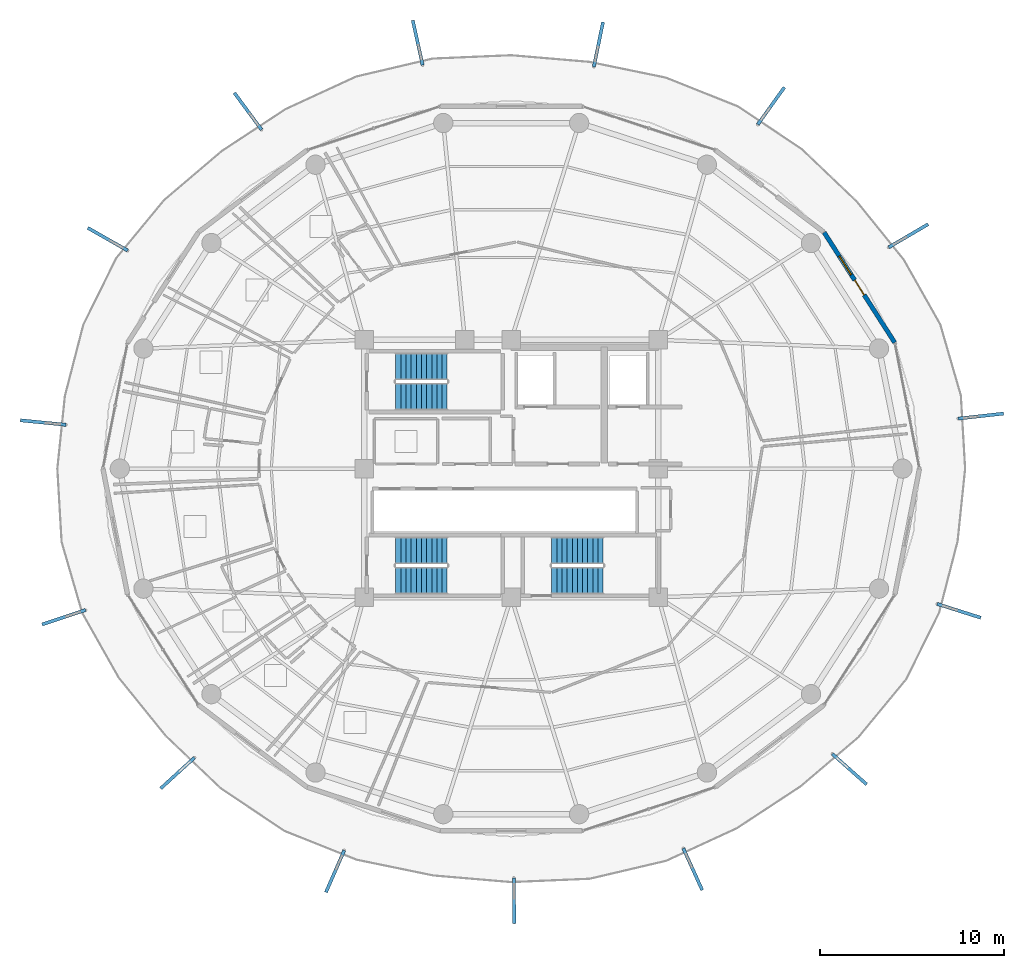
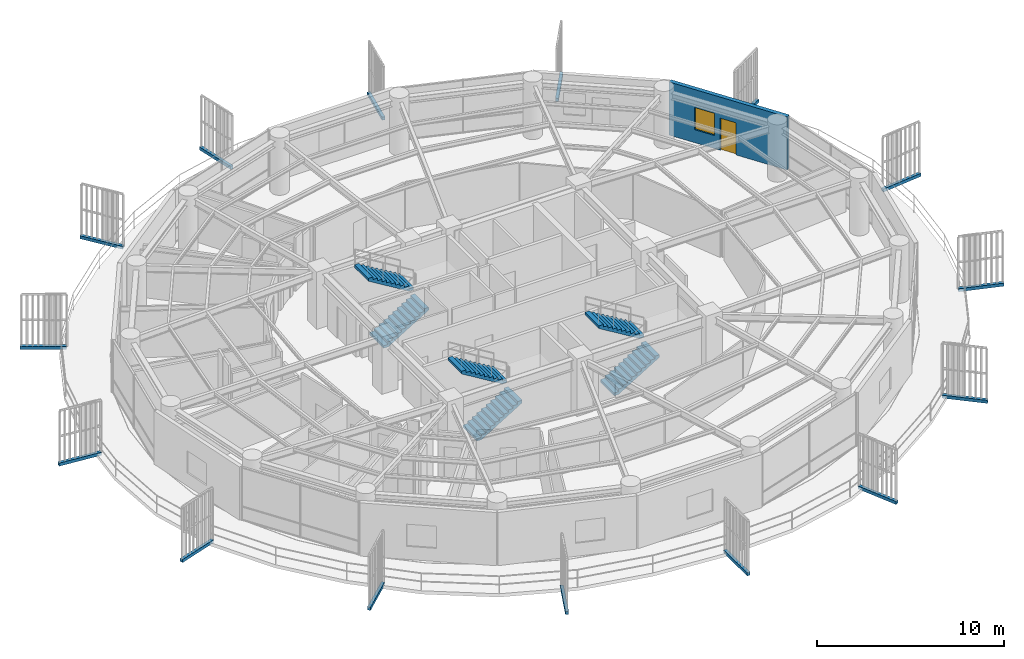
# One storey, part 27 of 31: 15 discrete accessories, 6 stair flights, 1 door, 1 wall, 1 window, 2 openings, 3 elements without a shape of their own.
"""IFC4 building model written with IfcOpenShell, lengths in metres."""

from ifc_helpers import new_model, si_unit, direction, frame, frame_2d, origin, origin_2d, place, context, subcontext, project, spatial, polyline, rectangle, outline, extrude, source, transform, mapped, material, layer, layer_set, type_object, element, fill, aggregate, save


model = new_model("IFC4")

# Units and contexts
model_context = context("Model", 3, precision=1e-05, world=origin(), true_north=direction((0.0, 1.0)))
body_context = subcontext(model_context, "Body", "Model", "MODEL_VIEW")
ifc_project = project(units=[si_unit("LENGTHUNIT", "METRE"), si_unit("AREAUNIT", "SQUARE_METRE"), si_unit("VOLUMEUNIT", "CUBIC_METRE"), si_unit("PLANEANGLEUNIT", "RADIAN"), si_unit("MASSUNIT", "GRAM", prefix="KILO")], contexts=[model_context])

# Site, building, storey
site_placement = place(None, origin())
site = spatial("IfcSite", under=ifc_project, at=site_placement, CompositionType="ELEMENT")
building_placement = place(site_placement, origin())
building = spatial("IfcBuilding", under=site, at=building_placement, Name="Kelanora Arch Commons", CompositionType="ELEMENT")
storey_placement = place(building_placement, frame((0.0, 0.0, 230.699951171875)))
storey = spatial("IfcBuildingStorey", under=building, at=storey_placement, Name="L59", CompositionType="ELEMENT", Elevation=230.699951171875)

# Wall, openings, door, window
ifc_material_1 = material(Name="Precast concrete C40/50 upper-zone terracotta rainscreen", Category="masonry")
ifc_layer = layer(ifc_material_1, 0.239990234375)
ifc_layer_set = layer_set([ifc_layer], Name="Precast concrete C40/50 upper-zone terracotta rainscreen")
wall_type = type_object("IfcWallType", Name="W-EXT-TC2", PredefinedType="SOLIDWALL", material=ifc_layer_set)
wall_placement = place(storey_placement, frame((94.85302734375, 64.85302734375, 0.0), z_axis=(0.0, 0.0, 1.0), x_axis=(-0.539539512973, 0.841960280501, 0.0)))
wall = element("IfcWall", 1, at=wall_placement, inside=storey, type_object=wall_type, Name="Terracotta Exterior Wall L59-B01", PredefinedType="SOLIDWALL", context=body_context, shape_type="SweptSolid", body=[
    extrude(rectangle(XDim=7.11474609375, YDim=0.239990234375, at=frame_2d((3.557373046875, 0.0))), origin(), (0.0, 0.0, 1.0), 3.47509765625),
])
opening_1_placement = place(wall_placement, frame((3.08203125, 0.0, 0.0)))
opening_1 = element("IfcOpeningElement", 2, at=opening_1_placement, cuts=wall, Name="Opening DB-01", PredefinedType="OPENING", context=body_context, shape_type="SweptSolid", body=[
    extrude(rectangle(XDim=0.949951171875, YDim=2.10009765625, at=frame_2d((0.47509765625, 1.050048828125))), frame((0.0, 0.1298828125, 0.0), z_axis=(0.0, -1.0, 0.0), x_axis=(1.0, 0.0, 0.0)), (0.0, 0.0, 1.0), 0.260009765625),
])
opening_2_placement = place(wall_placement, frame((4.382080078125, 0.0, 0.85009765625)))
opening_2 = element("IfcOpeningElement", 3, at=opening_2_placement, cuts=wall, Name="Opening WN-02", PredefinedType="OPENING", context=body_context, shape_type="SweptSolid", body=[
    extrude(rectangle(XDim=1.199951171875, YDim=1.449951171875, at=frame_2d((0.60009765625, 0.72509765625))), frame((0.0, 0.1298828125, 0.0), z_axis=(0.0, -1.0, 0.0), x_axis=(1.0, 0.0, 0.0)), (0.0, 0.0, 1.0), 0.260009765625),
])
ifc_material_2 = material(Name="Terracotta-aluminium thermally broken glazed balcony door", Category="masonry")
door_type = type_object("IfcDoorType", Name="D-BAL-10", OperationType="NOTDEFINED", PredefinedType="DOOR", material=ifc_material_2)
door_placement = place(opening_1_placement, frame((0.949951171875, 0.0, 0.0), z_axis=(0.0, 0.0, 1.0), x_axis=(-1.0, 0.0, 0.0)))
door = element("IfcDoor", 4, at=door_placement, inside=storey, type_object=door_type, Name="Wave Balcony Door L59-B01", OperationType="SINGLE_SWING_LEFT", OverallHeight=2.10009765625, OverallWidth=0.949951171875, PredefinedType="DOOR", context=body_context, shape_type="SweptSolid", body=[
    extrude(rectangle(XDim=0.949951171875, YDim=2.10009765625, at=frame_2d((0.47509765625, 1.050048828125))), frame((0.0, 0.02490234375, 0.0), z_axis=(0.0, -1.0, 0.0), x_axis=(1.0, 0.0, 0.0)), (0.0, 0.0, 1.0), 0.050048828125),
])
fill(opening_1, door)
ifc_material_3 = material(Name="Terracotta-anodised aluminium frame with operable awning sash", Category="masonry")
window_type = type_object("IfcWindowType", Name="WIN-CL-12", PartitioningType="SINGLE_PANEL", PredefinedType="WINDOW", material=ifc_material_3)
window_placement = place(opening_2_placement, origin())
window = element("IfcWindow", 5, at=window_placement, inside=storey, type_object=window_type, Name="Co-Living Operable Window L59-B01", OverallHeight=1.449951171875, OverallWidth=1.199951171875, PartitioningType="SINGLE_PANEL", PredefinedType="WINDOW", context=body_context, shape_type="SweptSolid", body=[
    extrude(rectangle(XDim=1.199951171875, YDim=1.449951171875, at=frame_2d((0.60009765625, 0.72509765625))), frame((0.0, 0.030029296875, 0.0), z_axis=(0.0, -1.0, 0.0), x_axis=(1.0, 0.0, 0.0)), (0.0, 0.0, 1.0), 0.06005859375),
])
fill(opening_2, window)

# Stair, stair flights
ifc_material_4 = material(Name="Concrete C40/50", Category="concrete")
stair_type = type_object("IfcStairType", Name="STR-DL-375", PredefinedType="HALF_TURN_STAIR", material=ifc_material_4)
stair_1_placement = place(storey_placement, origin())
stair_1 = element("IfcStair", 6, at=stair_1_placement, inside=storey, type_object=stair_type, Name="L59 ST-T1", PredefinedType="HALF_TURN_STAIR")
stair_flight_type = type_object("IfcStairFlightType", Name="FLT-DL-375", PredefinedType="STRAIGHT", material=ifc_material_4)
stair_flight_1_placement = place(storey_placement, frame((67.719970703125, 61.919921875, 0.0), z_axis=(0.0, 0.0, 1.0), x_axis=(1.0, 0.0, 0.0)))
stair_flight_1 = element("IfcStairFlight", 7, at=stair_flight_1_placement, type_object=stair_flight_type, Name="ST-T1 flight 1", NumberOfRisers=11, NumberOfTreads=10, PredefinedType="STRAIGHT", RiserHeight=0.170454545, TreadLength=0.28, context=body_context, shape_type="SweptSolid", body=[
    extrude(outline(polyline([(0.0, 0.0), (0.0, 0.17041015625), (0.280029296875, 0.17041015625), (0.280029296875, 0.3408203125), (0.56005859375, 0.3408203125), (0.56005859375, 0.511474609375), (0.840087890625, 0.511474609375), (0.840087890625, 0.681884765625), (1.1201171875, 0.681884765625), (1.1201171875, 0.852294921875), (1.39990234375, 0.852294921875), (1.39990234375, 1.022705078125), (1.679931640625, 1.022705078125), (1.679931640625, 1.193115234375), (1.9599609375, 1.193115234375), (1.9599609375, 1.363525390625), (2.239990234375, 1.363525390625), (2.239990234375, 1.5341796875), (2.52001953125, 1.5341796875), (2.52001953125, 1.70458984375), (2.800048828125, 1.70458984375), (2.800048828125, 1.875), (2.800048828125, 1.529052734375), (0.288330078125, 0.0), (0.0, 0.0)])), frame((0.0, 0.739990234375, 0.0), z_axis=(0.0, -1.0, 0.0), x_axis=(1.0, 0.0, 0.0)), (0.0, 0.0, 1.0), 1.47998046875),
])
stair_flight_2_placement = place(storey_placement, frame((70.52001953125, 63.550048828125, 1.875), z_axis=(0.0, 0.0, 1.0), x_axis=(-1.0, 0.0, 0.0)))
stair_flight_2 = element("IfcStairFlight", 8, at=stair_flight_2_placement, type_object=stair_flight_type, Name="ST-T1 flight 2", NumberOfRisers=11, NumberOfTreads=10, PredefinedType="STRAIGHT", RiserHeight=0.170454545, TreadLength=0.28, context=body_context, shape_type="SweptSolid", body=[
    extrude(outline(polyline([(0.0, 0.0), (0.0, 0.17041015625), (0.280029296875, 0.17041015625), (0.280029296875, 0.3408203125), (0.56005859375, 0.3408203125), (0.56005859375, 0.511474609375), (0.840087890625, 0.511474609375), (0.840087890625, 0.681884765625), (1.1201171875, 0.681884765625), (1.1201171875, 0.852294921875), (1.39990234375, 0.852294921875), (1.39990234375, 1.022705078125), (1.679931640625, 1.022705078125), (1.679931640625, 1.193115234375), (1.9599609375, 1.193115234375), (1.9599609375, 1.363525390625), (2.239990234375, 1.363525390625), (2.239990234375, 1.5341796875), (2.52001953125, 1.5341796875), (2.52001953125, 1.70458984375), (2.800048828125, 1.70458984375), (2.800048828125, 1.875), (2.800048828125, 1.529052734375), (0.288330078125, 0.0), (0.0, 0.0)])), frame((0.0, 0.739990234375, 0.0), z_axis=(0.0, -1.0, 0.0), x_axis=(1.0, 0.0, 0.0)), (0.0, 0.0, 1.0), 1.47998046875),
])
aggregate(stair_1, [stair_flight_1, stair_flight_2])

stair_2_placement = place(storey_placement, origin())
stair_2 = element("IfcStair", 9, at=stair_2_placement, inside=storey, type_object=stair_type, Name="L59 ST-T2", PredefinedType="HALF_TURN_STAIR")
stair_flight_3_placement = place(storey_placement, frame((76.199951171875, 51.919921875, 0.0), z_axis=(0.0, 0.0, 1.0), x_axis=(1.0, 0.0, 0.0)))
stair_flight_3 = element("IfcStairFlight", 10, at=stair_flight_3_placement, type_object=stair_flight_type, Name="ST-T2 flight 1", NumberOfRisers=11, NumberOfTreads=10, PredefinedType="STRAIGHT", RiserHeight=0.170454545, TreadLength=0.28, context=body_context, shape_type="SweptSolid", body=[
    extrude(outline(polyline([(0.0, 0.0), (0.0, 0.17041015625), (0.280029296875, 0.17041015625), (0.280029296875, 0.3408203125), (0.56005859375, 0.3408203125), (0.56005859375, 0.511474609375), (0.840087890625, 0.511474609375), (0.840087890625, 0.681884765625), (1.1201171875, 0.681884765625), (1.1201171875, 0.852294921875), (1.39990234375, 0.852294921875), (1.39990234375, 1.022705078125), (1.679931640625, 1.022705078125), (1.679931640625, 1.193115234375), (1.9599609375, 1.193115234375), (1.9599609375, 1.363525390625), (2.239990234375, 1.363525390625), (2.239990234375, 1.5341796875), (2.52001953125, 1.5341796875), (2.52001953125, 1.70458984375), (2.800048828125, 1.70458984375), (2.800048828125, 1.875), (2.800048828125, 1.529052734375), (0.288330078125, 0.0), (0.0, 0.0)])), frame((0.0, 0.739990234375, 0.0), z_axis=(0.0, -1.0, 0.0), x_axis=(1.0, 0.0, 0.0)), (0.0, 0.0, 1.0), 1.47998046875),
])
stair_flight_4_placement = place(storey_placement, frame((79.0, 53.550048828125, 1.875), z_axis=(0.0, 0.0, 1.0), x_axis=(-1.0, 0.0, 0.0)))
stair_flight_4 = element("IfcStairFlight", 11, at=stair_flight_4_placement, type_object=stair_flight_type, Name="ST-T2 flight 2", NumberOfRisers=11, NumberOfTreads=10, PredefinedType="STRAIGHT", RiserHeight=0.170454545, TreadLength=0.28, context=body_context, shape_type="SweptSolid", body=[
    extrude(outline(polyline([(0.0, 0.0), (0.0, 0.17041015625), (0.280029296875, 0.17041015625), (0.280029296875, 0.3408203125), (0.56005859375, 0.3408203125), (0.56005859375, 0.511474609375), (0.840087890625, 0.511474609375), (0.840087890625, 0.681884765625), (1.1201171875, 0.681884765625), (1.1201171875, 0.852294921875), (1.39990234375, 0.852294921875), (1.39990234375, 1.022705078125), (1.679931640625, 1.022705078125), (1.679931640625, 1.193115234375), (1.9599609375, 1.193115234375), (1.9599609375, 1.363525390625), (2.239990234375, 1.363525390625), (2.239990234375, 1.5341796875), (2.52001953125, 1.5341796875), (2.52001953125, 1.70458984375), (2.800048828125, 1.70458984375), (2.800048828125, 1.875), (2.800048828125, 1.529052734375), (0.288330078125, 0.0), (0.0, 0.0)])), frame((0.0, 0.739990234375, 0.0), z_axis=(0.0, -1.0, 0.0), x_axis=(1.0, 0.0, 0.0)), (0.0, 0.0, 1.0), 1.47998046875),
])
aggregate(stair_2, [stair_flight_3, stair_flight_4])

stair_3_placement = place(storey_placement, origin())
stair_3 = element("IfcStair", 12, at=stair_3_placement, inside=storey, type_object=stair_type, Name="L59 ST-T3", PredefinedType="HALF_TURN_STAIR")
stair_flight_5_placement = place(storey_placement, frame((67.719970703125, 51.919921875, 0.0), z_axis=(0.0, 0.0, 1.0), x_axis=(1.0, 0.0, 0.0)))
stair_flight_5 = element("IfcStairFlight", 13, at=stair_flight_5_placement, type_object=stair_flight_type, Name="ST-T3 flight 1", NumberOfRisers=11, NumberOfTreads=10, PredefinedType="STRAIGHT", RiserHeight=0.170454545, TreadLength=0.28, context=body_context, shape_type="SweptSolid", body=[
    extrude(outline(polyline([(0.0, 0.0), (0.0, 0.17041015625), (0.280029296875, 0.17041015625), (0.280029296875, 0.3408203125), (0.56005859375, 0.3408203125), (0.56005859375, 0.511474609375), (0.840087890625, 0.511474609375), (0.840087890625, 0.681884765625), (1.1201171875, 0.681884765625), (1.1201171875, 0.852294921875), (1.39990234375, 0.852294921875), (1.39990234375, 1.022705078125), (1.679931640625, 1.022705078125), (1.679931640625, 1.193115234375), (1.9599609375, 1.193115234375), (1.9599609375, 1.363525390625), (2.239990234375, 1.363525390625), (2.239990234375, 1.5341796875), (2.52001953125, 1.5341796875), (2.52001953125, 1.70458984375), (2.800048828125, 1.70458984375), (2.800048828125, 1.875), (2.800048828125, 1.529052734375), (0.288330078125, 0.0), (0.0, 0.0)])), frame((0.0, 0.739990234375, 0.0), z_axis=(0.0, -1.0, 0.0), x_axis=(1.0, 0.0, 0.0)), (0.0, 0.0, 1.0), 1.47998046875),
])
stair_flight_6_placement = place(storey_placement, frame((70.52001953125, 53.550048828125, 1.875), z_axis=(0.0, 0.0, 1.0), x_axis=(-1.0, 0.0, 0.0)))
stair_flight_6 = element("IfcStairFlight", 14, at=stair_flight_6_placement, type_object=stair_flight_type, Name="ST-T3 flight 2", NumberOfRisers=11, NumberOfTreads=10, PredefinedType="STRAIGHT", RiserHeight=0.170454545, TreadLength=0.28, context=body_context, shape_type="SweptSolid", body=[
    extrude(outline(polyline([(0.0, 0.0), (0.0, 0.17041015625), (0.280029296875, 0.17041015625), (0.280029296875, 0.3408203125), (0.56005859375, 0.3408203125), (0.56005859375, 0.511474609375), (0.840087890625, 0.511474609375), (0.840087890625, 0.681884765625), (1.1201171875, 0.681884765625), (1.1201171875, 0.852294921875), (1.39990234375, 0.852294921875), (1.39990234375, 1.022705078125), (1.679931640625, 1.022705078125), (1.679931640625, 1.193115234375), (1.9599609375, 1.193115234375), (1.9599609375, 1.363525390625), (2.239990234375, 1.363525390625), (2.239990234375, 1.5341796875), (2.52001953125, 1.5341796875), (2.52001953125, 1.70458984375), (2.800048828125, 1.70458984375), (2.800048828125, 1.875), (2.800048828125, 1.529052734375), (0.288330078125, 0.0), (0.0, 0.0)])), frame((0.0, 0.739990234375, 0.0), z_axis=(0.0, -1.0, 0.0), x_axis=(1.0, 0.0, 0.0)), (0.0, 0.0, 1.0), 1.47998046875),
])
aggregate(stair_3, [stair_flight_5, stair_flight_6])

# Discrete accessories
ifc_material_5 = material(Name="Stainless steel 316 marine fin bracket", Category="steel")
discrete_accessory_type = type_object("IfcDiscreteAccessoryType", Name="ACC-FIN-BRK", PredefinedType="BRACKET", material=ifc_material_5)
shared_shape = source(origin(), body_context, "Body", "SweptSolid", [
    extrude(rectangle(XDim=2.48876953125, YDim=0.179931640625, at=origin_2d()), origin(), (0.0, 0.0, 1.0), 0.199951171875),
])
for number, where, z_axis, x_axis, name in (
    (15, (92.3935546875, 41.657958984375, -0.16015625), (0.0, 0.0, 1.0), (0.747566290977, -0.664187202975, 0.0), "Sweeping Fin Cantilever Spine Bracket L59-00"),
    (16, (98.346923828125, 50.267333984375, -0.16015625), (0.0, 0.0, 1.0), (0.95308506272, -0.302702598633, 0.0), "Sweeping Fin Cantilever Spine Bracket L59-01"),
    (17, (99.53759765625, 60.85546875, -0.16015625), (0.0, 0.0, 1.0), (0.993806768614, 0.111122034978, 0.0), "Sweeping Fin Cantilever Spine Bracket L59-02"),
    (18, (95.594970703125, 70.659423828125, -0.16015625), (0.0, 0.0, 1.0), (0.862690255763, 0.505732659231, 0.0), "Sweeping Fin Cantilever Spine Bracket L59-03"),
    (19, (88.1298828125, 77.721923828125, -0.16015625), (0.0, 0.0, 1.0), (0.582406760395, 0.812897512265, 0.0), "Sweeping Fin Cantilever Spine Bracket L59-04"),
    (20, (78.7421875, 81.061279296875, -0.16015625), (0.0, 0.0, 1.0), (0.201419845156, 0.979505000486, 0.0), "Sweeping Fin Cantilever Spine Bracket L59-05"),
    (21, (68.916748046875, 81.158203125, -0.16015625), (0.0, 0.0, 1.0), (-0.214394391152, 0.9767471756, 0.0), "Sweeping Fin Cantilever Spine Bracket L59-06"),
    (22, (59.68701171875, 77.427978515625, -0.16015625), (0.0, 0.0, 1.0), (-0.593137889518, 0.805100890583, 0.0), "Sweeping Fin Cantilever Spine Bracket L59-07"),
    (23, (52.061767578125, 70.47265625, -0.16015625), (0.0, 0.0, 1.0), (-0.869322458298, 0.494245347472, 0.0), "Sweeping Fin Cantilever Spine Bracket L59-08"),
    (24, (48.55078125, 60.50439453125, -0.16015625), (0.0, 0.0, 1.0), (-0.995193276492, 0.097930293706, 0.0), "Sweeping Fin Cantilever Spine Bracket L59-09"),
    (25, (49.677001953125, 49.918212890625, -0.16015625), (0.0, 0.0, 1.0), (-0.948986136133, -0.315317797511, 0.0), "Sweeping Fin Cantilever Spine Bracket L59-10"),
    (26, (55.860595703125, 41.447998046875, -0.16015625), (0.0, 0.0, 1.0), (-0.738690671568, -0.674044576967, 0.0), "Sweeping Fin Cantilever Spine Bracket L59-11"),
    (27, (64.424560546875, 36.103515625, -0.16015625), (0.0, 0.0, 1.0), (-0.400668879095, -0.916222925562, 0.0), "Sweeping Fin Cantilever Spine Bracket L59-12"),
    (28, (74.156005859375, 34.502197265625, -0.16015625), (0.0, 0.0, 1.0), (0.006632202536, -0.999978006703, 0.0), "Sweeping Fin Cantilever Spine Bracket L59-13"),
    (29, (83.87158203125, 36.21826171875, -0.16015625), (0.0, 0.0, 1.0), (0.412786516097, -0.91082780597, 0.0), "Sweeping Fin Cantilever Spine Bracket L59-14"),
):
    element("IfcDiscreteAccessory", number, at=place(storey_placement, frame(where, z_axis=z_axis, x_axis=x_axis)), inside=storey, type_object=discrete_accessory_type, Name=name, PredefinedType="BRACKET", context=body_context, shape_type="MappedRepresentation", body=[
        mapped(shared_shape, transform((0.0, 0.0, 0.0), scale=1.0)),
    ])

save(model, "model.ifc")
